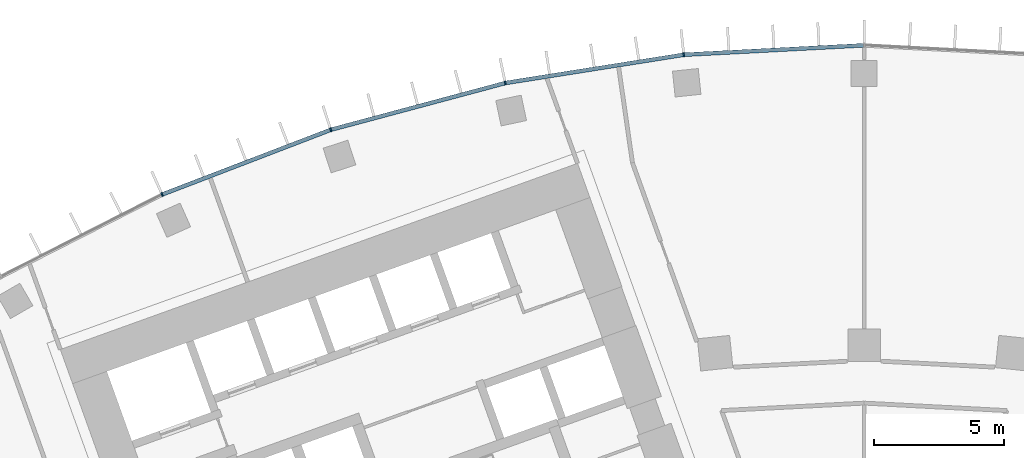
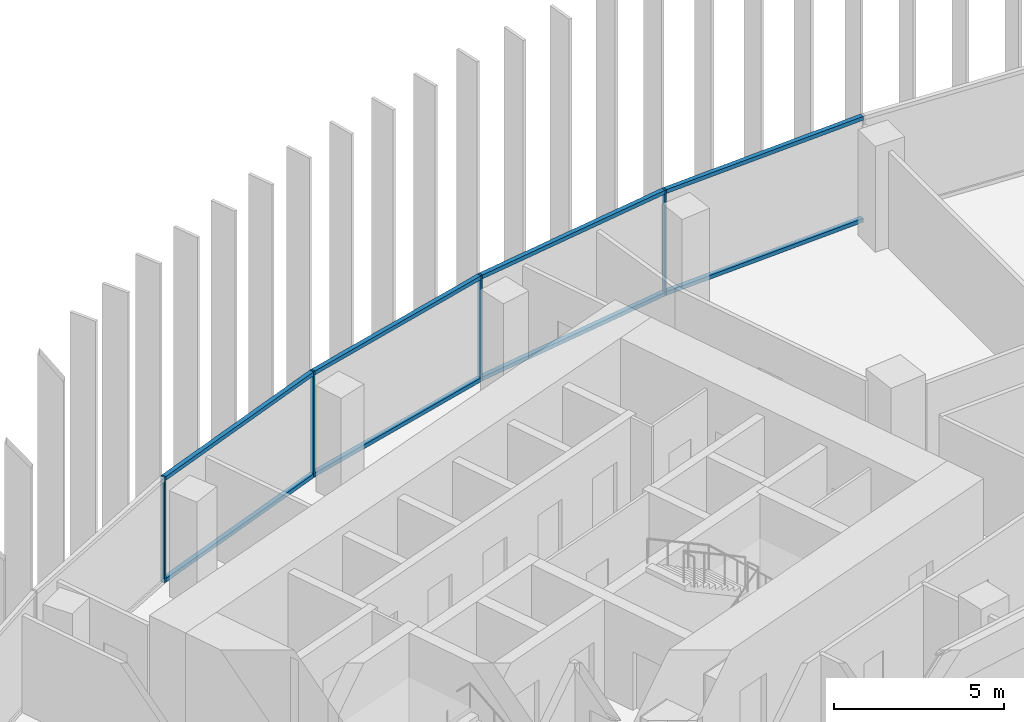
# One storey, part 7 of 22: 12 members, 1 element without a shape of its own.
"""IFC4 building model written with IfcOpenShell, lengths in metres."""

from ifc_helpers import new_model, si_unit, direction, frame, origin, origin_2d, place, context, subcontext, project, spatial, rectangle, extrude, material, layer, layer_set, material_profile, profile_set, type_object, element, aggregate, save


model = new_model("IFC4")

# Units and contexts
model_context = context("Model", 3, precision=1e-05, world=origin(), true_north=direction((0.0, 1.0)))
body_context = subcontext(model_context, "Body", "Model", "MODEL_VIEW")
ifc_project = project(units=[si_unit("LENGTHUNIT", "METRE"), si_unit("AREAUNIT", "SQUARE_METRE"), si_unit("VOLUMEUNIT", "CUBIC_METRE"), si_unit("PLANEANGLEUNIT", "RADIAN"), si_unit("MASSUNIT", "GRAM", prefix="KILO")], contexts=[model_context])

# Site, building, storey
site_placement = place(None, origin())
site = spatial("IfcSite", under=ifc_project, at=site_placement, CompositionType="ELEMENT")
building_placement = place(site_placement, origin())
building = spatial("IfcBuilding", under=site, at=building_placement, Name="Stone Belt Terrace Tower", CompositionType="ELEMENT")
storey_placement = place(building_placement, frame((0.0, 0.0, 155.39990234375)))
storey = spatial("IfcBuildingStorey", under=building, at=storey_placement, Name="L37", CompositionType="ELEMENT", Elevation=155.39990234375)

# Curtain wall, members
ifc_material = material(Name="Aluminium 6063-T6 anodised frame", Category="aluminium")
ifc_layer = layer(ifc_material, 0.14990234375)
ifc_layer_set = layer_set([ifc_layer], Name="CW-A unitised convex-face curtain wall")
curtain_wall_type = type_object("IfcCurtainWallType", Name="CW-A unitised convex-face curtain wall", PredefinedType="NOTDEFINED", material=ifc_layer_set)
curtain_wall_placement = place(storey_placement, origin())
curtain_wall = element("IfcCurtainWall", 1, at=curtain_wall_placement, inside=storey, type_object=curtain_wall_type, Name="CW-A convex face L37", PredefinedType="NOTDEFINED")
ifc_material_profile_1 = material_profile(ifc_material, rectangle(XDim=0.14990234375, YDim=0.06005859375, at=origin_2d()), Name="Aluminium 6063-T6 60x150")
ifc_profile_set_1 = profile_set([ifc_material_profile_1], Name="Aluminium 6063-T6 anodised frame")
member_type_1 = type_object("IfcMemberType", Name="CW-A mullion 60 x 150", PredefinedType="MULLION", material=ifc_profile_set_1)
member_1_placement = place(storey_placement, frame((-6.958984375, 66.21044921875, 0.0), z_axis=(0.0, 0.0, 1.0), x_axis=(0.104528463268, -0.994521895368, 0.0)))
member_1 = element("IfcMember", 2, at=member_1_placement, type_object=member_type_1, Name="CW-A mullion 10", PredefinedType="MULLION", context=body_context, shape_type="SweptSolid", body=[
    extrude(rectangle(XDim=0.14990234375, YDim=0.06005859375, at=origin_2d()), origin(), (0.0, 0.0, 1.0), 3.800048828125),
])
member_2_placement = place(storey_placement, frame((-13.841796875, 65.120361328125, 0.0), z_axis=(0.0, 0.0, 1.0), x_axis=(0.207911690818, -0.978147600734, 0.0)))
member_2 = element("IfcMember", 3, at=member_2_placement, type_object=member_type_1, Name="CW-A mullion 11", PredefinedType="MULLION", context=body_context, shape_type="SweptSolid", body=[
    extrude(rectangle(XDim=0.14990234375, YDim=0.06005859375, at=origin_2d()), origin(), (0.0, 0.0, 1.0), 3.800048828125),
])
member_3_placement = place(storey_placement, frame((-20.57275390625, 63.316650390625, 0.0), z_axis=(0.0, 0.0, 1.0), x_axis=(0.309016994375, -0.951056516295, 0.0)))
member_3 = element("IfcMember", 4, at=member_3_placement, type_object=member_type_1, Name="CW-A mullion 12", PredefinedType="MULLION", context=body_context, shape_type="SweptSolid", body=[
    extrude(rectangle(XDim=0.14990234375, YDim=0.06005859375, at=origin_2d()), origin(), (0.0, 0.0, 1.0), 3.800048828125),
])
member_4_placement = place(storey_placement, frame((-27.07861328125, 60.8193359375, 0.0), z_axis=(0.0, 0.0, 1.0), x_axis=(0.406736643076, -0.913545457643, 0.0)))
member_4 = element("IfcMember", 5, at=member_4_placement, type_object=member_type_1, Name="CW-A mullion 13", PredefinedType="MULLION", context=body_context, shape_type="SweptSolid", body=[
    extrude(rectangle(XDim=0.14990234375, YDim=0.06005859375, at=origin_2d()), origin(), (0.0, 0.0, 1.0), 3.800048828125),
])
ifc_material_profile_2 = material_profile(ifc_material, rectangle(XDim=0.14990234375, YDim=0.139892578125, at=origin_2d()), Name="Aluminium 6063-T6 150x140")
ifc_profile_set_2 = profile_set([ifc_material_profile_2], Name="Aluminium 6063-T6 anodised frame")
member_type_2 = type_object("IfcMemberType", Name="CW-A transom 140 x 150", PredefinedType="USERDEFINED", material=ifc_profile_set_2)
member_5_placement = place(storey_placement, frame((-0.033935546875, 66.5732421875, 0.070068359375), z_axis=(-0.998630019135, -0.052326712899, 0.0), x_axis=(0.052326712899, -0.998630019135, 0.0)))
member_5 = element("IfcMember", 6, at=member_5_placement, type_object=member_type_2, Name="CW-A transom 9.1", ObjectType="TRANSOM", PredefinedType="USERDEFINED", context=body_context, shape_type="SweptSolid", body=[
    extrude(rectangle(XDim=0.14990234375, YDim=0.139892578125, at=origin_2d()), origin(), (0.0, 0.0, 1.0), 6.900634765625),
])
member_6_placement = place(storey_placement, frame((-0.033935546875, 66.5732421875, 3.72998046875), z_axis=(-0.998630019135, -0.052326712899, 0.0), x_axis=(0.052326712899, -0.998630019135, 0.0)))
member_6 = element("IfcMember", 7, at=member_6_placement, type_object=member_type_2, Name="CW-A transom 9.2", ObjectType="TRANSOM", PredefinedType="USERDEFINED", context=body_context, shape_type="SweptSolid", body=[
    extrude(rectangle(XDim=0.14990234375, YDim=0.139892578125, at=origin_2d()), origin(), (0.0, 0.0, 1.0), 6.900634765625),
])
member_7_placement = place(storey_placement, frame((-6.992431640625, 66.205078125, 0.070068359375), z_axis=(-0.987687120531, -0.156442168027, 0.0), x_axis=(0.156442168027, -0.987687120531, 0.0)))
member_7 = element("IfcMember", 8, at=member_7_placement, type_object=member_type_2, Name="CW-A transom 10.1", ObjectType="TRANSOM", PredefinedType="USERDEFINED", context=body_context, shape_type="SweptSolid", body=[
    extrude(rectangle(XDim=0.14990234375, YDim=0.139892578125, at=origin_2d()), origin(), (0.0, 0.0, 1.0), 6.90087890625),
])
member_8_placement = place(storey_placement, frame((-6.992431640625, 66.205078125, 3.72998046875), z_axis=(-0.987687120531, -0.156442168027, 0.0), x_axis=(0.156442168027, -0.987687120531, 0.0)))
member_8 = element("IfcMember", 9, at=member_8_placement, type_object=member_type_2, Name="CW-A transom 10.2", ObjectType="TRANSOM", PredefinedType="USERDEFINED", context=body_context, shape_type="SweptSolid", body=[
    extrude(rectangle(XDim=0.14990234375, YDim=0.139892578125, at=origin_2d()), origin(), (0.0, 0.0, 1.0), 6.90087890625),
])
member_9_placement = place(storey_placement, frame((-13.87451171875, 65.111572265625, 0.070068359375), z_axis=(-0.965921835863, -0.258833937117, 0.0), x_axis=(0.258833937117, -0.965921835863, 0.0)))
member_9 = element("IfcMember", 10, at=member_9_placement, type_object=member_type_2, Name="CW-A transom 11.1", ObjectType="TRANSOM", PredefinedType="USERDEFINED", context=body_context, shape_type="SweptSolid", body=[
    extrude(rectangle(XDim=0.14990234375, YDim=0.139892578125, at=origin_2d()), origin(), (0.0, 0.0, 1.0), 6.900634765625),
])
member_10_placement = place(storey_placement, frame((-13.87451171875, 65.111572265625, 3.72998046875), z_axis=(-0.965921835863, -0.258833937117, 0.0), x_axis=(0.258833937117, -0.965921835863, 0.0)))
member_10 = element("IfcMember", 11, at=member_10_placement, type_object=member_type_2, Name="CW-A transom 11.2", ObjectType="TRANSOM", PredefinedType="USERDEFINED", context=body_context, shape_type="SweptSolid", body=[
    extrude(rectangle(XDim=0.14990234375, YDim=0.139892578125, at=origin_2d()), origin(), (0.0, 0.0, 1.0), 6.900634765625),
])
member_11_placement = place(storey_placement, frame((-20.6044921875, 63.304443359375, 0.070068359375), z_axis=(-0.933585210269, -0.358355487146, 0.0), x_axis=(0.358355487146, -0.933585210269, 0.0)))
member_11 = element("IfcMember", 12, at=member_11_placement, type_object=member_type_2, Name="CW-A transom 12.1", ObjectType="TRANSOM", PredefinedType="USERDEFINED", context=body_context, shape_type="SweptSolid", body=[
    extrude(rectangle(XDim=0.14990234375, YDim=0.139892578125, at=origin_2d()), origin(), (0.0, 0.0, 1.0), 6.900634765625),
])
member_12_placement = place(storey_placement, frame((-20.6044921875, 63.304443359375, 3.72998046875), z_axis=(-0.933585210269, -0.358355487146, 0.0), x_axis=(0.358355487146, -0.933585210269, 0.0)))
member_12 = element("IfcMember", 13, at=member_12_placement, type_object=member_type_2, Name="CW-A transom 12.2", ObjectType="TRANSOM", PredefinedType="USERDEFINED", context=body_context, shape_type="SweptSolid", body=[
    extrude(rectangle(XDim=0.14990234375, YDim=0.139892578125, at=origin_2d()), origin(), (0.0, 0.0, 1.0), 6.900634765625),
])
aggregate(curtain_wall, [member_1, member_2, member_3, member_4, member_5, member_6, member_7, member_8, member_9, member_10, member_11, member_12])

save(model, "model.ifc")
